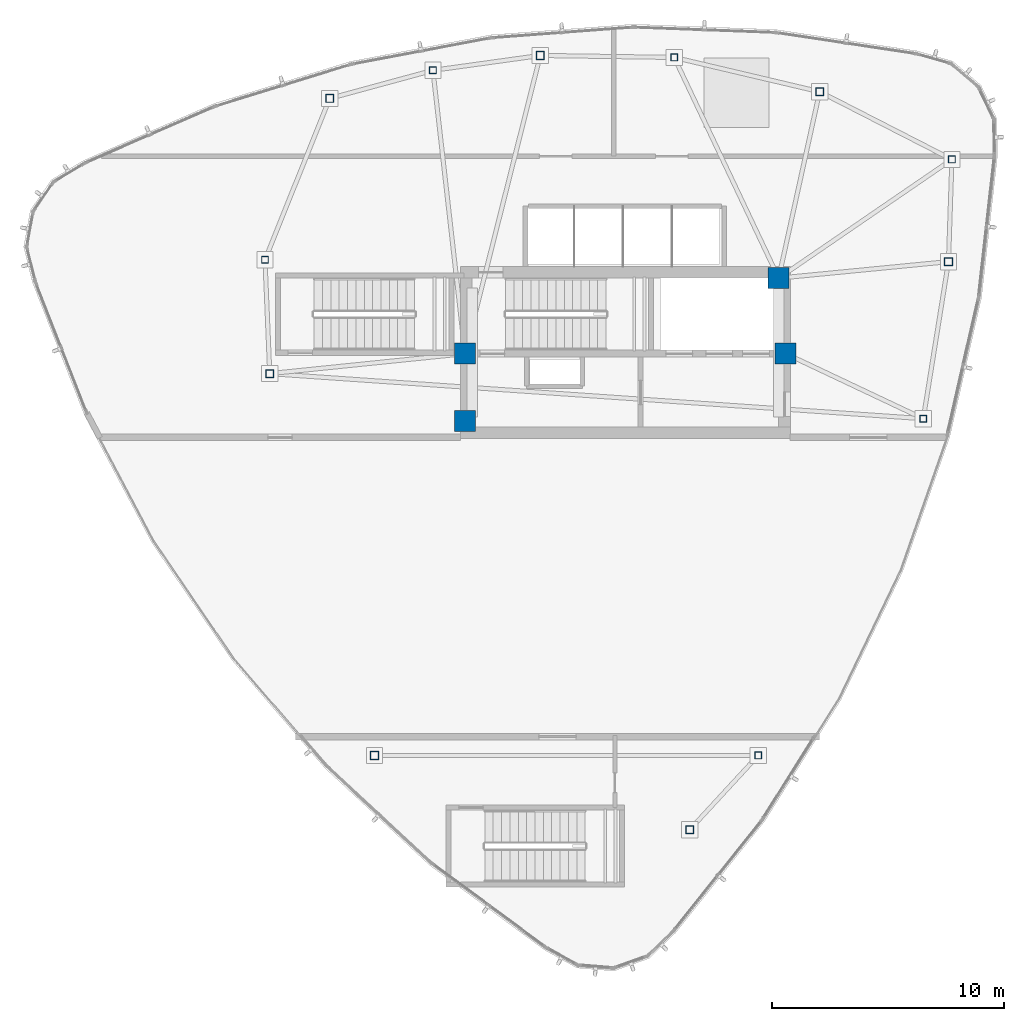
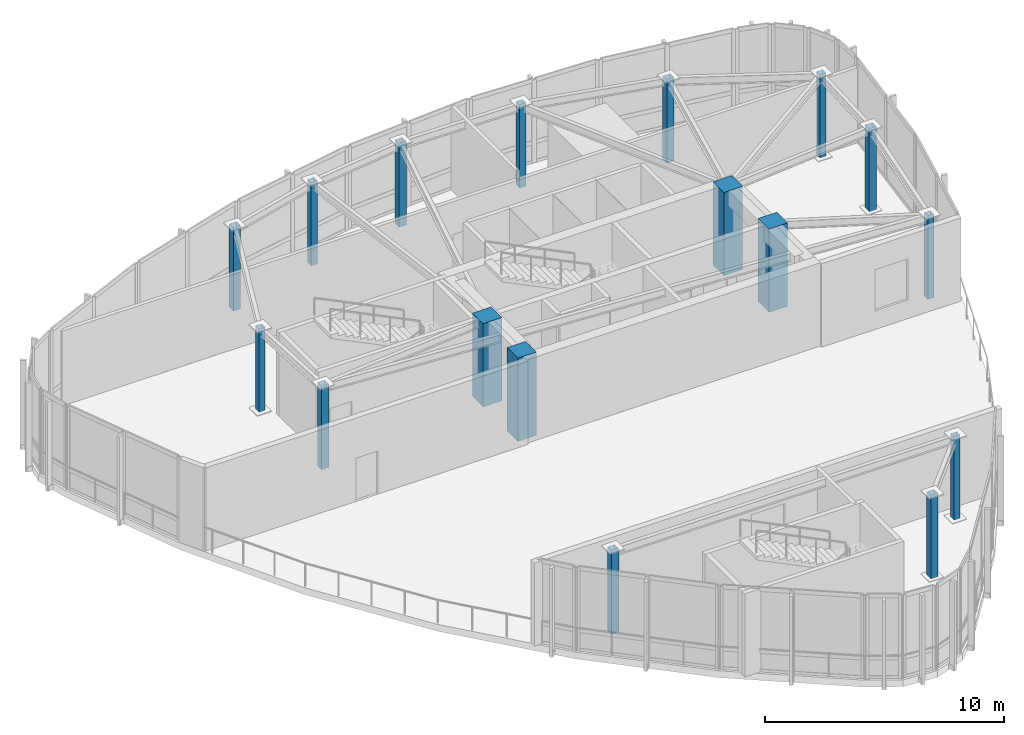
# One storey, part 1 of 16: 17 columns.
"""IFC4 building model written with IfcOpenShell, lengths in metres."""

from ifc_helpers import new_model, si_unit, direction, frame, origin, origin_2d, place, context, subcontext, project, spatial, rectangle, hollow_rectangle, extrude, material, material_profile, profile_set, type_object, element, save


model = new_model("IFC4")

# Units and contexts
model_context = context("Model", 3, precision=1e-05, world=origin(), true_north=direction((0.0, 1.0)))
body_context = subcontext(model_context, "Body", "Model", "MODEL_VIEW")
ifc_project = project(units=[si_unit("LENGTHUNIT", "METRE"), si_unit("AREAUNIT", "SQUARE_METRE"), si_unit("VOLUMEUNIT", "CUBIC_METRE"), si_unit("PLANEANGLEUNIT", "RADIAN"), si_unit("MASSUNIT", "GRAM", prefix="KILO")], contexts=[model_context])

# Site, building, storey
site_placement = place(None, origin())
site = spatial("IfcSite", under=ifc_project, at=site_placement, CompositionType="ELEMENT")
building_placement = place(site_placement, origin())
building = spatial("IfcBuilding", under=site, at=building_placement, Name="Tavelor Broadcast Tower", CompositionType="ELEMENT")
storey_placement = place(building_placement, frame((0.0, 0.0, 332.10009765625)))
storey = spatial("IfcBuildingStorey", under=building, at=storey_placement, Name="L79", CompositionType="ELEMENT", Elevation=332.10009765625)

# Columns
ifc_material_1 = material(Name="Concrete C50/60", Category="concrete")
ifc_material_profile_1 = material_profile(ifc_material_1, rectangle(XDim=0.89990234375, YDim=0.89990234375, at=origin_2d()), Name="RC 900x900")
ifc_profile_set_1 = profile_set([ifc_material_profile_1], Name="Concrete C50/60")
column_type_1 = type_object("IfcColumnType", Name="Core Embedded Composite Column RC900", PredefinedType="COLUMN", material=ifc_profile_set_1)
for number, where, z_axis, x_axis, name in (
    (1, (43.10009765625, 47.949951171875, 0.0), (0.0, 0.0, 1.0), (1.0, 0.0, 0.0), "L79 Core Embedded Column 1"),
    (2, (56.89990234375, 47.949951171875, 0.0), (0.0, 0.0, 1.0), (1.0, 0.0, 0.0), "L79 Core Embedded Column 2"),
    (3, (56.60009765625, 51.199951171875, 0.0), (0.0, 0.0, 1.0), (1.0, 0.0, 0.0), "L79 Core Embedded Column 3"),
    (4, (43.10009765625, 45.050048828125, 0.0), (0.0, 0.0, 1.0), (1.0, 0.0, 0.0), "L79 Core Embedded Column 4"),
):
    element("IfcColumn", number, at=place(storey_placement, frame(where, z_axis=z_axis, x_axis=x_axis)), inside=storey, type_object=column_type_1, Name=name, PredefinedType="COLUMN", context=body_context, shape_type="SweptSolid", body=[
        extrude(rectangle(XDim=0.89990234375, YDim=0.89990234375, at=origin_2d()), origin(), (0.0, 0.0, 1.0), 4.25),
    ])
ifc_material_2 = material(Name="Steel S355", Category="steel")
ifc_material_profile_2 = material_profile(ifc_material_2, hollow_rectangle(XDim=0.35009765625, YDim=0.35009765625, WallThickness=0.02001953125, at=origin_2d()), Name="SHS 350x350x20")
ifc_profile_set_2 = profile_set([ifc_material_profile_2], Name="Steel S355")
column_type_2 = type_object("IfcColumnType", Name="Crown Frame Column SHS350", PredefinedType="COLUMN", material=ifc_profile_set_2)
for number, where, z_axis, x_axis, name in (
    (5, (37.27294921875, 58.9375, 0.0), (0.0, 0.0, 1.0), (1.0, 0.0, 0.0), "L79 Crown Peak A Frame Column 1"),
    (6, (34.690673828125, 47.090087890625, 0.0), (0.0, 0.0, 1.0), (1.0, 0.0, 0.0), "L79 Crown Peak A Frame Column 3"),
    (7, (63.910888671875, 51.91064453125, 0.0), (0.0, 0.0, 1.0), (1.0, 0.0, 0.0), "L79 Crown Peak A Frame Column 5"),
    (8, (58.364013671875, 59.226318359375, 0.0), (0.0, 0.0, 1.0), (1.0, 0.0, 0.0), "L79 Crown Peak A Frame Column 7"),
    (9, (46.337158203125, 60.786865234375, 0.0), (0.0, 0.0, 1.0), (1.0, 0.0, 0.0), "L79 Crown Peak A Frame Column 9"),
    (10, (52.76708984375, 27.447998046875, 0.0), (0.0, 0.0, 1.0), (1.0, 0.0, 0.0), "L79 Crown Peak B Frame Column 1"),
    (11, (39.197509765625, 30.64990234375, 0.0), (0.0, 0.0, 1.0), (1.0, 0.0, 0.0), "L79 Crown Peak B Frame Column 3"),
):
    element("IfcColumn", number, at=place(storey_placement, frame(where, z_axis=z_axis, x_axis=x_axis)), inside=storey, type_object=column_type_2, Name=name, PredefinedType="COLUMN", context=body_context, shape_type="SweptSolid", body=[
        extrude(hollow_rectangle(XDim=0.35009765625, YDim=0.35009765625, WallThickness=0.02001953125, at=origin_2d()), origin(), (0.0, 0.0, 1.0), 4.25),
    ])
ifc_material_profile_3 = material_profile(ifc_material_2, hollow_rectangle(XDim=0.300048828125, YDim=0.300048828125, WallThickness=0.01611328125, at=origin_2d()), Name="SHS 300x300x16")
ifc_profile_set_3 = profile_set([ifc_material_profile_3], Name="Steel S355")
column_type_3 = type_object("IfcColumnType", Name="Crown Secondary Post SHS300", PredefinedType="COLUMN", material=ifc_profile_set_3)
for number, where, z_axis, x_axis, name in (
    (12, (34.4853515625, 51.989013671875, 0.0), (0.0, 0.0, 1.0), (1.0, 0.0, 0.0), "L79 Crown Peak A Frame Column 2"),
    (13, (62.826416015625, 45.14990234375, 0.0), (0.0, 0.0, 1.0), (1.0, 0.0, 0.0), "L79 Crown Peak A Frame Column 4"),
    (14, (64.058349609375, 56.30859375, 0.0), (0.0, 0.0, 1.0), (1.0, 0.0, 0.0), "L79 Crown Peak A Frame Column 6"),
    (15, (52.10400390625, 60.701416015625, 0.0), (0.0, 0.0, 1.0), (1.0, 0.0, 0.0), "L79 Crown Peak A Frame Column 8"),
    (16, (41.715087890625, 60.145751953125, 0.0), (0.0, 0.0, 1.0), (1.0, 0.0, 0.0), "L79 Crown Peak A Frame Column 10"),
    (17, (55.718505859375, 30.64990234375, 0.0), (0.0, 0.0, 1.0), (1.0, 0.0, 0.0), "L79 Crown Peak B Frame Column 2"),
):
    element("IfcColumn", number, at=place(storey_placement, frame(where, z_axis=z_axis, x_axis=x_axis)), inside=storey, type_object=column_type_3, Name=name, PredefinedType="COLUMN", context=body_context, shape_type="SweptSolid", body=[
        extrude(hollow_rectangle(XDim=0.300048828125, YDim=0.300048828125, WallThickness=0.01611328125, at=origin_2d()), origin(), (0.0, 0.0, 1.0), 4.25),
    ])

save(model, "model.ifc")
